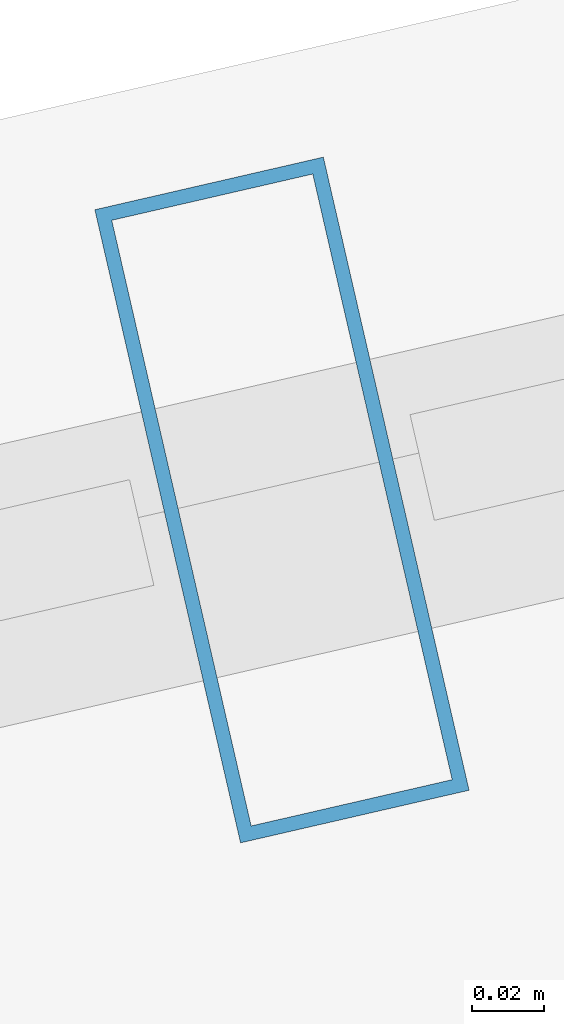
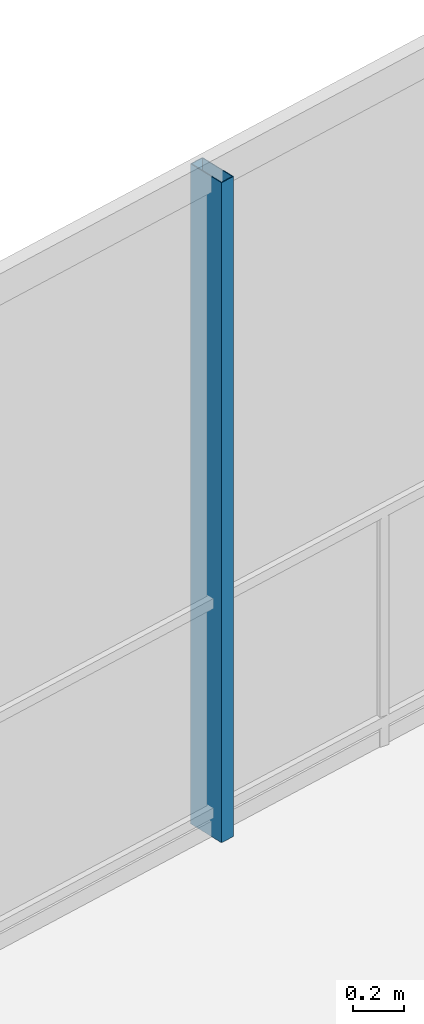
# One storey, part 13 of 23: 1 member, 1 element without a shape of its own.
"""IFC4 building model written with IfcOpenShell, lengths in metres."""

from ifc_helpers import new_model, si_unit, direction, frame, origin, origin_2d, place, context, subcontext, project, spatial, hollow_rectangle, extrude, material, layer, layer_set, material_profile, profile_set, type_object, element, aggregate, save


model = new_model("IFC4")

# Units and contexts
model_context = context("Model", 3, precision=1e-05, world=origin(), true_north=direction((0.0, 1.0)))
body_context = subcontext(model_context, "Body", "Model", "MODEL_VIEW")
ifc_project = project(units=[si_unit("LENGTHUNIT", "METRE"), si_unit("AREAUNIT", "SQUARE_METRE"), si_unit("VOLUMEUNIT", "CUBIC_METRE"), si_unit("PLANEANGLEUNIT", "RADIAN"), si_unit("MASSUNIT", "GRAM", prefix="KILO")], contexts=[model_context])

# Site, building, storey
site_placement = place(None, origin())
site = spatial("IfcSite", under=ifc_project, at=site_placement, CompositionType="ELEMENT")
building_placement = place(site_placement, origin())
building = spatial("IfcBuilding", under=site, at=building_placement, Name="Qarnah Convention Tower", CompositionType="ELEMENT")
storey_placement = place(building_placement, frame((0.0, 0.0, 114.300048828125)))
storey = spatial("IfcBuildingStorey", under=building, at=storey_placement, Name="L30", CompositionType="ELEMENT", Elevation=114.300048828125)

# Curtain wall, member
ifc_material_1 = material(Name="Tempered Low-E dark glass", Category="glass")
ifc_layer = layer(ifc_material_1, 0.169921875)
ifc_layer_set = layer_set([ifc_layer], Name="Tempered Low-E dark glass")
curtain_wall_type = type_object("IfcCurtainWallType", Name="CWS-02", PredefinedType="NOTDEFINED", material=ifc_layer_set)
curtain_wall_placement = place(storey_placement, origin())
curtain_wall = element("IfcCurtainWall", 1, at=curtain_wall_placement, inside=storey, type_object=curtain_wall_type, Name="L30 unitised curtain wall CW-L30-F3", PredefinedType="NOTDEFINED")
ifc_material_2 = material(Name="Black anodised aluminium", Category="aluminium")
ifc_material_profile = material_profile(ifc_material_2, hollow_rectangle(XDim=0.06494140625, YDim=0.179931640625, WallThickness=0.00390625, at=origin_2d()), Name="MUL-65X180")
ifc_profile_set = profile_set([ifc_material_profile], Name="Black anodised aluminium")
member_type = type_object("IfcMemberType", Name="MUL-T2", PredefinedType="MULLION", material=ifc_profile_set)
member_placement = place(storey_placement, frame((30.814208984375, 42.458740234375, 0.0), z_axis=(0.0, 0.0, 1.0), x_axis=(0.974522187201, 0.224291120317, 0.0)))
member = element("IfcMember", 2, at=member_placement, type_object=member_type, Name="CW-L30-F3 mullion 3", PredefinedType="MULLION", context=body_context, shape_type="SweptSolid", body=[
    extrude(hollow_rectangle(XDim=0.06494140625, YDim=0.179931640625, WallThickness=0.00390625, at=origin_2d()), origin(), (0.0, 0.0, 1.0), 3.169921875),
])
aggregate(curtain_wall, [member])

save(model, "model.ifc")
